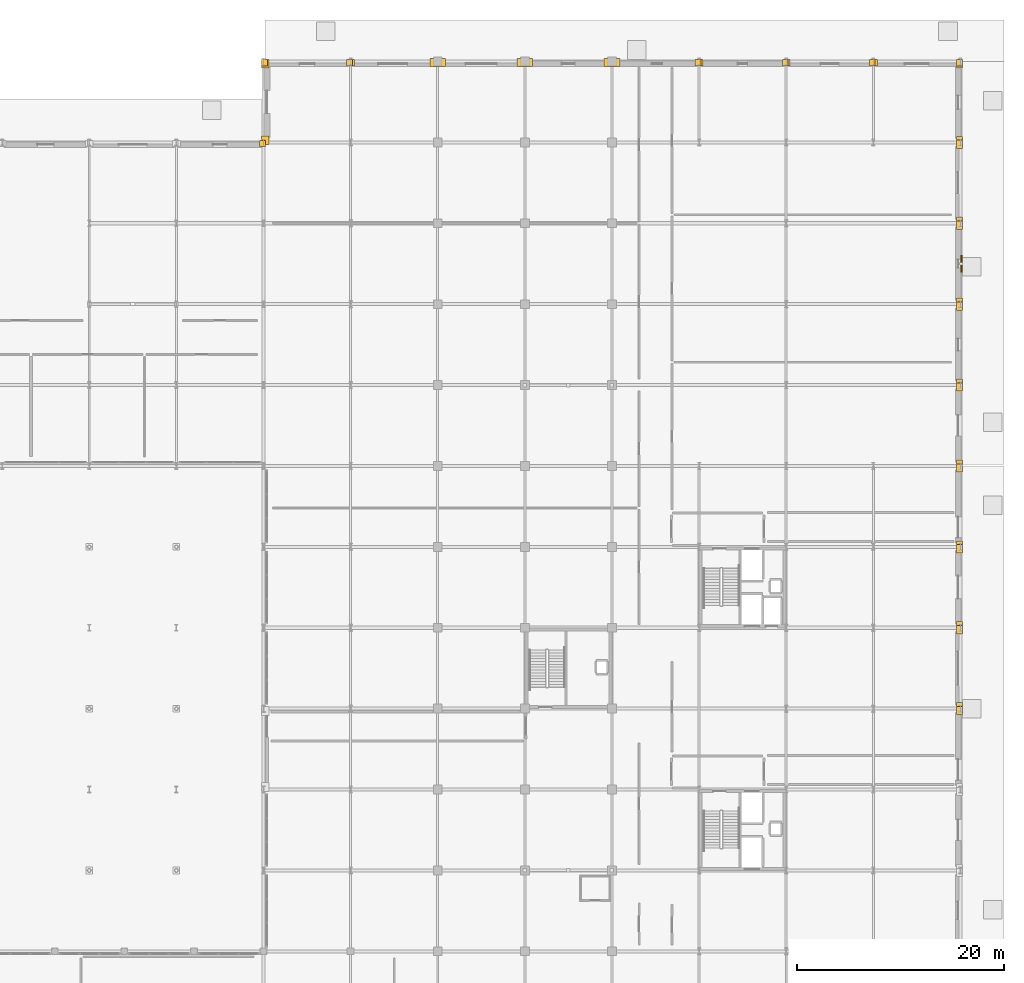
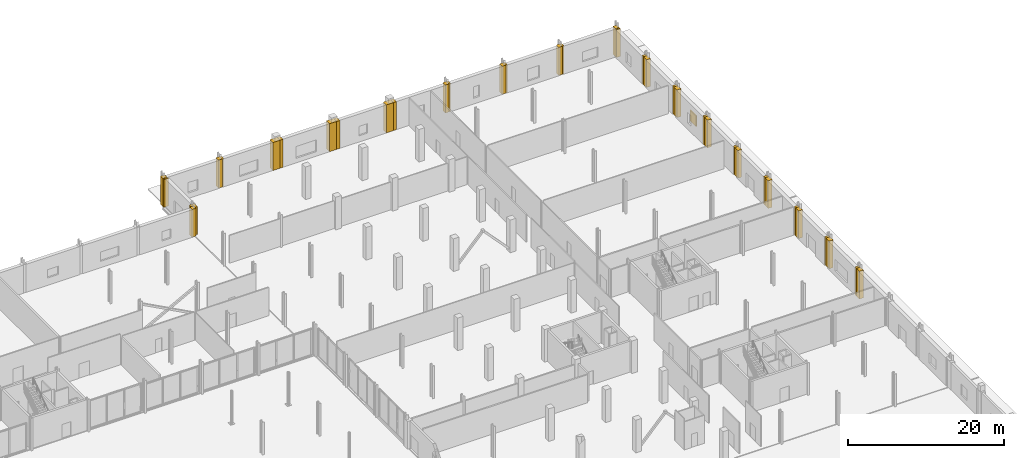
# One storey, part 80 of 80: 36 coverings, 1 shading device.
"""IFC4 building model written with IfcOpenShell, lengths in metres."""

from ifc_helpers import new_model, si_unit, direction, frame, origin, origin_2d, place, context, subcontext, project, spatial, polyline, rectangle, outline, extrude, material, layer, layer_set, type_object, element, save


model = new_model("IFC4")

# Units and contexts
model_context = context("Model", 3, precision=1e-05, world=origin(), true_north=direction((0.0, 1.0)))
body_context = subcontext(model_context, "Body", "Model", "MODEL_VIEW")
ifc_project = project(units=[si_unit("LENGTHUNIT", "METRE"), si_unit("AREAUNIT", "SQUARE_METRE"), si_unit("VOLUMEUNIT", "CUBIC_METRE"), si_unit("PLANEANGLEUNIT", "RADIAN"), si_unit("MASSUNIT", "GRAM", prefix="KILO")], contexts=[model_context])

# Site, building, storey
site_placement = place(None, origin())
site = spatial("IfcSite", under=ifc_project, at=site_placement, CompositionType="ELEMENT")
building_placement = place(site_placement, origin())
building = spatial("IfcBuilding", under=site, at=building_placement, Name="Nabrawat Pavilion Hospital", CompositionType="ELEMENT")
storey_placement = place(building_placement, origin())
storey = spatial("IfcBuildingStorey", under=building, at=storey_placement, Name="L00", CompositionType="ELEMENT", Elevation=0.0)

# Coverings
ifc_material = material(Name="Precast concrete C40/50", Category="concrete")
ifc_layer_1 = layer(ifc_material, 0.360107421875, Name="Precast concrete C40/50")
ifc_layer_set_1 = layer_set([ifc_layer_1], Name="Precast concrete C40/50")
covering_type = type_object("IfcCoveringType", Name="Architectural Precast Column-Jamb Closure Reveal", PredefinedType="CLADDING", material=ifc_layer_set_1)
covering_1_placement = place(storey_placement, origin())
element("IfcCovering", 1, at=covering_1_placement, inside=storey, type_object=covering_type, Name="L00 Precast Facade Column-Jamb Weatherseal Closure 0098", PredefinedType="CLADDING", context=body_context, shape_type="SweptSolid", body=[
    extrude(outline(polyline([(126.179931640625, 116.5849609375), (126.179931640625, 117.195068359375), (125.6201171875, 117.195068359375), (125.6201171875, 116.5849609375), (126.179931640625, 116.5849609375)])), origin(), (0.0, 0.0, 1.0), 4.330078125),
])
covering_2_placement = place(storey_placement, origin())
element("IfcCovering", 2, at=covering_2_placement, inside=storey, type_object=covering_type, Name="L00 Precast Facade Column-Jamb Weatherseal Closure 0121", PredefinedType="CLADDING", context=body_context, shape_type="SweptSolid", body=[
    extrude(outline(polyline([(126.52001953125, 116.804931640625), (126.52001953125, 117.635009765625), (125.820068359375, 117.635009765625), (125.820068359375, 116.804931640625), (126.52001953125, 116.804931640625)])), origin(), (0.0, 0.0, 1.0), 4.330078125),
])
covering_3_placement = place(storey_placement, origin())
element("IfcCovering", 3, at=covering_3_placement, inside=storey, type_object=covering_type, Name="L00 Precast Facade Column-Jamb Weatherseal Closure 0122", PredefinedType="CLADDING", context=body_context, shape_type="SweptSolid", body=[
    extrude(outline(polyline([(126.52001953125, 124.148681640625), (126.52001953125, 125.01123046875), (125.820068359375, 125.01123046875), (125.820068359375, 124.148681640625), (126.52001953125, 124.148681640625)])), origin(), (0.0, 0.0, 1.0), 4.330078125),
])
covering_4_placement = place(storey_placement, origin())
element("IfcCovering", 4, at=covering_4_placement, inside=storey, type_object=covering_type, Name="L00 Precast Facade Column-Jamb Weatherseal Closure 0123", PredefinedType="CLADDING", context=body_context, shape_type="SweptSolid", body=[
    extrude(outline(polyline([(126.3798828125, 124.36865234375), (126.3798828125, 125.01123046875), (125.820068359375, 125.01123046875), (125.820068359375, 124.36865234375), (126.3798828125, 124.36865234375)])), origin(), (0.0, 0.0, 1.0), 4.3798828125),
])
covering_5_placement = place(storey_placement, origin())
element("IfcCovering", 5, at=covering_5_placement, inside=storey, type_object=covering_type, Name="L00 Precast Facade Column-Jamb Weatherseal Closure 0124", PredefinedType="CLADDING", context=body_context, shape_type="SweptSolid", body=[
    extrude(outline(polyline([(134.580078125, 124.36865234375), (134.580078125, 125.01123046875), (134.02001953125, 125.01123046875), (134.02001953125, 124.36865234375), (134.580078125, 124.36865234375)])), origin(), (0.0, 0.0, 1.0), 4.3798828125),
])
covering_6_placement = place(storey_placement, origin())
element("IfcCovering", 6, at=covering_6_placement, inside=storey, type_object=covering_type, Name="L00 Precast Facade Column-Jamb Weatherseal Closure 0125", PredefinedType="CLADDING", context=body_context, shape_type="SweptSolid", body=[
    extrude(outline(polyline([(134.780029296875, 124.36865234375), (134.780029296875, 125.01123046875), (134.219970703125, 125.01123046875), (134.219970703125, 124.36865234375), (134.780029296875, 124.36865234375)])), origin(), (0.0, 0.0, 1.0), 4.3798828125),
])
covering_7_placement = place(storey_placement, origin())
element("IfcCovering", 7, at=covering_7_placement, inside=storey, type_object=covering_type, Name="L00 Precast Facade Column-Jamb Weatherseal Closure 0126", PredefinedType="CLADDING", context=body_context, shape_type="SweptSolid", body=[
    extrude(outline(polyline([(143.076416015625, 124.3037109375), (143.076416015625, 125.076416015625), (142.048583984375, 125.076416015625), (142.048583984375, 124.3037109375), (143.076416015625, 124.3037109375)])), origin(), (0.0, 0.0, 1.0), 4.3798828125),
])
covering_8_placement = place(storey_placement, origin())
element("IfcCovering", 8, at=covering_8_placement, inside=storey, type_object=covering_type, Name="L00 Precast Facade Column-Jamb Weatherseal Closure 0127", PredefinedType="CLADDING", context=body_context, shape_type="SweptSolid", body=[
    extrude(outline(polyline([(143.55126953125, 124.3037109375), (143.55126953125, 125.076416015625), (142.523681640625, 125.076416015625), (142.523681640625, 124.3037109375), (143.55126953125, 124.3037109375)])), origin(), (0.0, 0.0, 1.0), 4.3798828125),
])
covering_9_placement = place(storey_placement, origin())
element("IfcCovering", 9, at=covering_9_placement, inside=storey, type_object=covering_type, Name="L00 Precast Facade Column-Jamb Weatherseal Closure 0128", PredefinedType="CLADDING", context=body_context, shape_type="SweptSolid", body=[
    extrude(outline(polyline([(151.476318359375, 124.3037109375), (151.476318359375, 125.076416015625), (150.44873046875, 125.076416015625), (150.44873046875, 124.3037109375), (151.476318359375, 124.3037109375)])), origin(), (0.0, 0.0, 1.0), 4.3798828125),
])
covering_10_placement = place(storey_placement, origin())
element("IfcCovering", 10, at=covering_10_placement, inside=storey, type_object=covering_type, Name="L00 Precast Facade Column-Jamb Weatherseal Closure 0129", PredefinedType="CLADDING", context=body_context, shape_type="SweptSolid", body=[
    extrude(outline(polyline([(151.951416015625, 124.3037109375), (151.951416015625, 125.076416015625), (150.923583984375, 125.076416015625), (150.923583984375, 124.3037109375), (151.951416015625, 124.3037109375)])), origin(), (0.0, 0.0, 1.0), 4.3798828125),
])
covering_11_placement = place(storey_placement, origin())
element("IfcCovering", 11, at=covering_11_placement, inside=storey, type_object=covering_type, Name="L00 Precast Facade Column-Jamb Weatherseal Closure 0130", PredefinedType="CLADDING", context=body_context, shape_type="SweptSolid", body=[
    extrude(outline(polyline([(159.876220703125, 124.3037109375), (159.876220703125, 125.076416015625), (158.8486328125, 125.076416015625), (158.8486328125, 124.3037109375), (159.876220703125, 124.3037109375)])), origin(), (0.0, 0.0, 1.0), 4.3798828125),
])
covering_12_placement = place(storey_placement, origin())
element("IfcCovering", 12, at=covering_12_placement, inside=storey, type_object=covering_type, Name="L00 Precast Facade Column-Jamb Weatherseal Closure 0131", PredefinedType="CLADDING", context=body_context, shape_type="SweptSolid", body=[
    extrude(outline(polyline([(160.351318359375, 124.3037109375), (160.351318359375, 125.076416015625), (159.32373046875, 125.076416015625), (159.32373046875, 124.3037109375), (160.351318359375, 124.3037109375)])), origin(), (0.0, 0.0, 1.0), 4.3798828125),
])
covering_13_placement = place(storey_placement, origin())
element("IfcCovering", 13, at=covering_13_placement, inside=storey, type_object=covering_type, Name="L00 Precast Facade Column-Jamb Weatherseal Closure 0132", PredefinedType="CLADDING", context=body_context, shape_type="SweptSolid", body=[
    extrude(outline(polyline([(168.179931640625, 124.36865234375), (168.179931640625, 125.01123046875), (167.6201171875, 125.01123046875), (167.6201171875, 124.36865234375), (168.179931640625, 124.36865234375)])), origin(), (0.0, 0.0, 1.0), 4.3798828125),
])
covering_14_placement = place(storey_placement, origin())
element("IfcCovering", 14, at=covering_14_placement, inside=storey, type_object=covering_type, Name="L00 Precast Facade Column-Jamb Weatherseal Closure 0133", PredefinedType="CLADDING", context=body_context, shape_type="SweptSolid", body=[
    extrude(outline(polyline([(168.3798828125, 124.36865234375), (168.3798828125, 125.01123046875), (167.820068359375, 125.01123046875), (167.820068359375, 124.36865234375), (168.3798828125, 124.36865234375)])), origin(), (0.0, 0.0, 1.0), 4.3798828125),
])
covering_15_placement = place(storey_placement, origin())
element("IfcCovering", 15, at=covering_15_placement, inside=storey, type_object=covering_type, Name="L00 Precast Facade Column-Jamb Weatherseal Closure 0134", PredefinedType="CLADDING", context=body_context, shape_type="SweptSolid", body=[
    extrude(outline(polyline([(176.580078125, 124.36865234375), (176.580078125, 125.01123046875), (176.02001953125, 125.01123046875), (176.02001953125, 124.36865234375), (176.580078125, 124.36865234375)])), origin(), (0.0, 0.0, 1.0), 4.3798828125),
])
covering_16_placement = place(storey_placement, origin())
element("IfcCovering", 16, at=covering_16_placement, inside=storey, type_object=covering_type, Name="L00 Precast Facade Column-Jamb Weatherseal Closure 0135", PredefinedType="CLADDING", context=body_context, shape_type="SweptSolid", body=[
    extrude(outline(polyline([(176.780029296875, 124.36865234375), (176.780029296875, 125.01123046875), (176.219970703125, 125.01123046875), (176.219970703125, 124.36865234375), (176.780029296875, 124.36865234375)])), origin(), (0.0, 0.0, 1.0), 4.3798828125),
])
covering_17_placement = place(storey_placement, origin())
element("IfcCovering", 17, at=covering_17_placement, inside=storey, type_object=covering_type, Name="L00 Precast Facade Column-Jamb Weatherseal Closure 0136", PredefinedType="CLADDING", context=body_context, shape_type="SweptSolid", body=[
    extrude(outline(polyline([(184.97998046875, 124.36865234375), (184.97998046875, 125.01123046875), (184.419921875, 125.01123046875), (184.419921875, 124.36865234375), (184.97998046875, 124.36865234375)])), origin(), (0.0, 0.0, 1.0), 4.3798828125),
])
covering_18_placement = place(storey_placement, origin())
element("IfcCovering", 18, at=covering_18_placement, inside=storey, type_object=covering_type, Name="L00 Precast Facade Column-Jamb Weatherseal Closure 0137", PredefinedType="CLADDING", context=body_context, shape_type="SweptSolid", body=[
    extrude(outline(polyline([(185.179931640625, 124.36865234375), (185.179931640625, 125.01123046875), (184.6201171875, 125.01123046875), (184.6201171875, 124.36865234375), (185.179931640625, 124.36865234375)])), origin(), (0.0, 0.0, 1.0), 4.3798828125),
])
covering_19_placement = place(storey_placement, origin())
element("IfcCovering", 19, at=covering_19_placement, inside=storey, type_object=covering_type, Name="L00 Precast Facade Column-Jamb Weatherseal Closure 0138", PredefinedType="CLADDING", context=body_context, shape_type="SweptSolid", body=[
    extrude(outline(polyline([(193.3798828125, 124.36865234375), (193.3798828125, 125.01123046875), (192.820068359375, 125.01123046875), (192.820068359375, 124.36865234375), (193.3798828125, 124.36865234375)])), origin(), (0.0, 0.0, 1.0), 4.3798828125),
])
covering_20_placement = place(storey_placement, origin())
element("IfcCovering", 20, at=covering_20_placement, inside=storey, type_object=covering_type, Name="L00 Precast Facade Column-Jamb Weatherseal Closure 0154", PredefinedType="CLADDING", context=body_context, shape_type="SweptSolid", body=[
    extrude(outline(polyline([(193.3798828125, 61.813720703125), (193.3798828125, 62.611083984375), (192.800048828125, 62.611083984375), (192.800048828125, 61.813720703125), (193.3798828125, 61.813720703125)])), origin(), (0.0, 0.0, 1.0), 4.330078125),
])
covering_21_placement = place(storey_placement, origin())
element("IfcCovering", 21, at=covering_21_placement, inside=storey, type_object=covering_type, Name="L00 Precast Facade Column-Jamb Weatherseal Closure 0155", PredefinedType="CLADDING", context=body_context, shape_type="SweptSolid", body=[
    extrude(outline(polyline([(193.3798828125, 62.188720703125), (193.3798828125, 62.986083984375), (192.800048828125, 62.986083984375), (192.800048828125, 62.188720703125), (193.3798828125, 62.188720703125)])), origin(), (0.0, 0.0, 1.0), 4.330078125),
])
covering_22_placement = place(storey_placement, origin())
element("IfcCovering", 22, at=covering_22_placement, inside=storey, type_object=covering_type, Name="L00 Precast Facade Column-Jamb Weatherseal Closure 0156", PredefinedType="CLADDING", context=body_context, shape_type="SweptSolid", body=[
    extrude(outline(polyline([(193.3798828125, 69.61376953125), (193.3798828125, 70.411376953125), (192.800048828125, 70.411376953125), (192.800048828125, 69.61376953125), (193.3798828125, 69.61376953125)])), origin(), (0.0, 0.0, 1.0), 4.330078125),
])
covering_23_placement = place(storey_placement, origin())
element("IfcCovering", 23, at=covering_23_placement, inside=storey, type_object=covering_type, Name="L00 Precast Facade Column-Jamb Weatherseal Closure 0157", PredefinedType="CLADDING", context=body_context, shape_type="SweptSolid", body=[
    extrude(outline(polyline([(193.3798828125, 69.98876953125), (193.3798828125, 70.786376953125), (192.800048828125, 70.786376953125), (192.800048828125, 69.98876953125), (193.3798828125, 69.98876953125)])), origin(), (0.0, 0.0, 1.0), 4.330078125),
])
covering_24_placement = place(storey_placement, origin())
element("IfcCovering", 24, at=covering_24_placement, inside=storey, type_object=covering_type, Name="L00 Precast Facade Column-Jamb Weatherseal Closure 0158", PredefinedType="CLADDING", context=body_context, shape_type="SweptSolid", body=[
    extrude(outline(polyline([(193.3798828125, 77.413818359375), (193.3798828125, 78.211181640625), (192.800048828125, 78.211181640625), (192.800048828125, 77.413818359375), (193.3798828125, 77.413818359375)])), origin(), (0.0, 0.0, 1.0), 4.330078125),
])
covering_25_placement = place(storey_placement, origin())
element("IfcCovering", 25, at=covering_25_placement, inside=storey, type_object=covering_type, Name="L00 Precast Facade Column-Jamb Weatherseal Closure 0159", PredefinedType="CLADDING", context=body_context, shape_type="SweptSolid", body=[
    extrude(outline(polyline([(193.3798828125, 77.788818359375), (193.3798828125, 78.586181640625), (192.800048828125, 78.586181640625), (192.800048828125, 77.788818359375), (193.3798828125, 77.788818359375)])), origin(), (0.0, 0.0, 1.0), 4.330078125),
])
covering_26_placement = place(storey_placement, origin())
element("IfcCovering", 26, at=covering_26_placement, inside=storey, type_object=covering_type, Name="L00 Precast Facade Column-Jamb Weatherseal Closure 0160", PredefinedType="CLADDING", context=body_context, shape_type="SweptSolid", body=[
    extrude(outline(polyline([(193.3798828125, 85.213623046875), (193.3798828125, 86.01123046875), (192.800048828125, 86.01123046875), (192.800048828125, 85.213623046875), (193.3798828125, 85.213623046875)])), origin(), (0.0, 0.0, 1.0), 4.330078125),
])
covering_27_placement = place(storey_placement, origin())
element("IfcCovering", 27, at=covering_27_placement, inside=storey, type_object=covering_type, Name="L00 Precast Facade Column-Jamb Weatherseal Closure 0161", PredefinedType="CLADDING", context=body_context, shape_type="SweptSolid", body=[
    extrude(outline(polyline([(193.3798828125, 85.588623046875), (193.3798828125, 86.38623046875), (192.800048828125, 86.38623046875), (192.800048828125, 85.588623046875), (193.3798828125, 85.588623046875)])), origin(), (0.0, 0.0, 1.0), 4.330078125),
])
covering_28_placement = place(storey_placement, origin())
element("IfcCovering", 28, at=covering_28_placement, inside=storey, type_object=covering_type, Name="L00 Precast Facade Column-Jamb Weatherseal Closure 0162", PredefinedType="CLADDING", context=body_context, shape_type="SweptSolid", body=[
    extrude(outline(polyline([(193.3798828125, 93.013671875), (193.3798828125, 93.811279296875), (192.800048828125, 93.811279296875), (192.800048828125, 93.013671875), (193.3798828125, 93.013671875)])), origin(), (0.0, 0.0, 1.0), 4.330078125),
])
covering_29_placement = place(storey_placement, origin())
element("IfcCovering", 29, at=covering_29_placement, inside=storey, type_object=covering_type, Name="L00 Precast Facade Column-Jamb Weatherseal Closure 0163", PredefinedType="CLADDING", context=body_context, shape_type="SweptSolid", body=[
    extrude(outline(polyline([(193.3798828125, 93.388671875), (193.3798828125, 94.186279296875), (192.800048828125, 94.186279296875), (192.800048828125, 93.388671875), (193.3798828125, 93.388671875)])), origin(), (0.0, 0.0, 1.0), 4.330078125),
])
covering_30_placement = place(storey_placement, origin())
element("IfcCovering", 30, at=covering_30_placement, inside=storey, type_object=covering_type, Name="L00 Precast Facade Column-Jamb Weatherseal Closure 0164", PredefinedType="CLADDING", context=body_context, shape_type="SweptSolid", body=[
    extrude(outline(polyline([(193.3798828125, 100.813720703125), (193.3798828125, 101.611328125), (192.800048828125, 101.611328125), (192.800048828125, 100.813720703125), (193.3798828125, 100.813720703125)])), origin(), (0.0, 0.0, 1.0), 4.330078125),
])
covering_31_placement = place(storey_placement, origin())
element("IfcCovering", 31, at=covering_31_placement, inside=storey, type_object=covering_type, Name="L00 Precast Facade Column-Jamb Weatherseal Closure 0165", PredefinedType="CLADDING", context=body_context, shape_type="SweptSolid", body=[
    extrude(outline(polyline([(193.3798828125, 101.188720703125), (193.3798828125, 101.986328125), (192.800048828125, 101.986328125), (192.800048828125, 101.188720703125), (193.3798828125, 101.188720703125)])), origin(), (0.0, 0.0, 1.0), 4.330078125),
])
covering_32_placement = place(storey_placement, origin())
element("IfcCovering", 32, at=covering_32_placement, inside=storey, type_object=covering_type, Name="L00 Precast Facade Column-Jamb Weatherseal Closure 0166", PredefinedType="CLADDING", context=body_context, shape_type="SweptSolid", body=[
    extrude(outline(polyline([(193.3798828125, 108.61376953125), (193.3798828125, 109.411376953125), (192.800048828125, 109.411376953125), (192.800048828125, 108.61376953125), (193.3798828125, 108.61376953125)])), origin(), (0.0, 0.0, 1.0), 4.330078125),
])
covering_33_placement = place(storey_placement, origin())
element("IfcCovering", 33, at=covering_33_placement, inside=storey, type_object=covering_type, Name="L00 Precast Facade Column-Jamb Weatherseal Closure 0167", PredefinedType="CLADDING", context=body_context, shape_type="SweptSolid", body=[
    extrude(outline(polyline([(193.3798828125, 108.98876953125), (193.3798828125, 109.786376953125), (192.800048828125, 109.786376953125), (192.800048828125, 108.98876953125), (193.3798828125, 108.98876953125)])), origin(), (0.0, 0.0, 1.0), 4.330078125),
])
covering_34_placement = place(storey_placement, origin())
element("IfcCovering", 34, at=covering_34_placement, inside=storey, type_object=covering_type, Name="L00 Precast Facade Column-Jamb Weatherseal Closure 0168", PredefinedType="CLADDING", context=body_context, shape_type="SweptSolid", body=[
    extrude(outline(polyline([(193.3798828125, 116.413818359375), (193.3798828125, 117.211181640625), (192.800048828125, 117.211181640625), (192.800048828125, 116.413818359375), (193.3798828125, 116.413818359375)])), origin(), (0.0, 0.0, 1.0), 4.330078125),
])
covering_35_placement = place(storey_placement, origin())
element("IfcCovering", 35, at=covering_35_placement, inside=storey, type_object=covering_type, Name="L00 Precast Facade Column-Jamb Weatherseal Closure 0169", PredefinedType="CLADDING", context=body_context, shape_type="SweptSolid", body=[
    extrude(outline(polyline([(193.3798828125, 116.788818359375), (193.3798828125, 117.586181640625), (192.800048828125, 117.586181640625), (192.800048828125, 116.788818359375), (193.3798828125, 116.788818359375)])), origin(), (0.0, 0.0, 1.0), 4.330078125),
])
covering_36_placement = place(storey_placement, origin())
element("IfcCovering", 36, at=covering_36_placement, inside=storey, type_object=covering_type, Name="L00 Precast Facade Column-Jamb Weatherseal Closure 0170", PredefinedType="CLADDING", context=body_context, shape_type="SweptSolid", body=[
    extrude(outline(polyline([(193.3798828125, 124.148681640625), (193.3798828125, 125.01123046875), (192.800048828125, 125.01123046875), (192.800048828125, 124.148681640625), (193.3798828125, 124.148681640625)])), origin(), (0.0, 0.0, 1.0), 4.330078125),
])

# Shading device
ifc_layer_2 = layer(ifc_material, 2.39990234375, Name="Precast concrete C40/50")
ifc_layer_set_2 = layer_set([ifc_layer_2], Name="Precast concrete C40/50")
shading_device_type = type_object("IfcShadingDeviceType", Name="Perforated GFRC Mashrabiya Solar Fin", PredefinedType="JALOUSIE", material=ifc_layer_set_2)
shading_device_placement = place(storey_placement, frame((193.320068359375, 105.300048828125, 0.949951171875), z_axis=(0.0, 0.0, 1.0), x_axis=(0.0, 1.0, 0.0)))
element("IfcShadingDevice", 37, at=shading_device_placement, inside=storey, type_object=shading_device_type, Name="L00 Perforated GFRC Mashrabiya Screen 007", PredefinedType="JALOUSIE", context=body_context, shape_type="SweptSolid", body=[
    extrude(rectangle(XDim=1.60009765625, YDim=0.139892578125, at=origin_2d()), origin(), (0.0, 0.0, 1.0), 1.64990234375),
])

save(model, "model.ifc")
